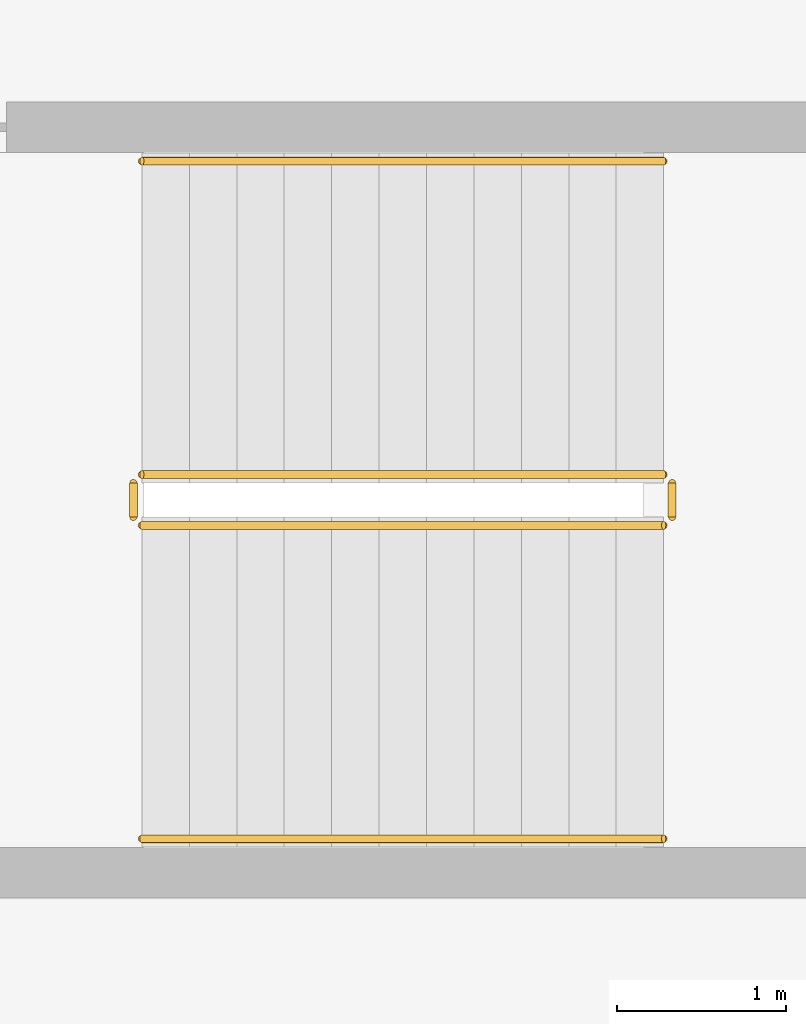
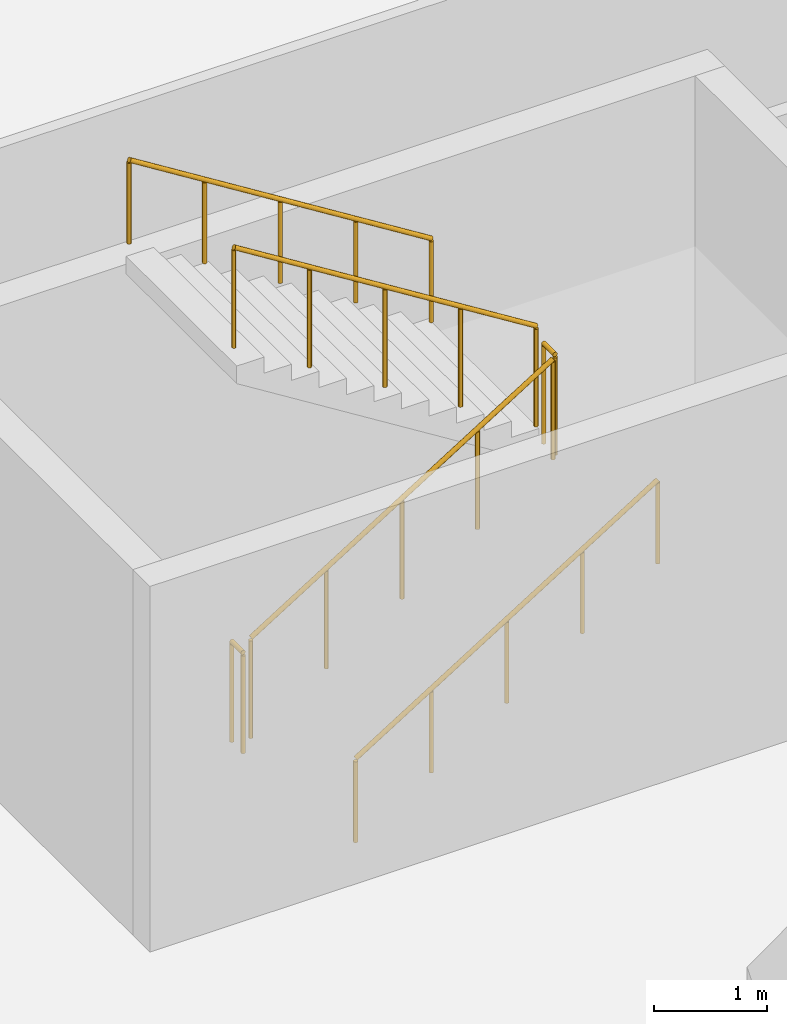
# One storey, part 181 of 182: 6 railings.
"""IFC4 building model written with IfcOpenShell, lengths in metres."""

from ifc_helpers import new_model, si_unit, direction, frame, origin, origin_2d, place, context, subcontext, project, spatial, circle, extrude, material, layer, layer_set, type_object, element, save


model = new_model("IFC4")

# Units and contexts
model_context = context("Model", 3, precision=1e-05, world=origin(), true_north=direction((0.0, 1.0)))
body_context = subcontext(model_context, "Body", "Model", "MODEL_VIEW")
ifc_project = project(units=[si_unit("LENGTHUNIT", "METRE"), si_unit("AREAUNIT", "SQUARE_METRE"), si_unit("VOLUMEUNIT", "CUBIC_METRE"), si_unit("PLANEANGLEUNIT", "RADIAN"), si_unit("MASSUNIT", "GRAM", prefix="KILO")], contexts=[model_context])

# Site, building, storey
site_placement = place(None, origin())
site = spatial("IfcSite", under=ifc_project, at=site_placement, CompositionType="ELEMENT")
building_placement = place(site_placement, origin())
building = spatial("IfcBuilding", under=site, at=building_placement, Name="Chiffa Square Polytechnic", CompositionType="ELEMENT")
storey_placement = place(building_placement, frame((0.0, 0.0, 9.60009765625)))
storey = spatial("IfcBuildingStorey", under=building, at=storey_placement, Name="L02", CompositionType="ELEMENT", Elevation=9.60009765625)

# Railings
ifc_material = material(Name="Steel S355", Category="steel")
ifc_layer_1 = layer(ifc_material, 0.050048828125, Name="Steel S355")
ifc_layer_set_1 = layer_set([ifc_layer_1], Name="Steel S355")
railing_type_1 = type_object("IfcRailingType", Name="RL-STAIR-GUARD", PredefinedType="GUARDRAIL", material=ifc_layer_set_1)
railing_1_placement = place(storey_placement, frame((96.199951171875, 110.60009765625, 0.1748046875)))
element("IfcRailing", 1, at=railing_1_placement, inside=storey, type_object=railing_type_1, Name="L02 ST-V5B stair guard 1", PredefinedType="GUARDRAIL", context=body_context, shape_type="SweptSolid", body=[
    extrude(circle(Radius=0.02392578125, at=origin_2d()), frame((0.0, 0.0, 1.076171875), z_axis=(0.847998304005, 0.0, 0.529998940003), x_axis=(0.0, 1.0, 0.0)), (0.0, 0.0, 1.0), 3.632080078125),
    extrude(circle(Radius=0.02099609375, at=origin_2d()), origin(), (0.0, 0.0, 1.0), 1.052001953125),
    extrude(circle(Radius=0.02099609375, at=origin_2d()), frame((0.77001953125, 0.0, 0.481201171875)), (0.0, 0.0, 1.0), 1.052001953125),
    extrude(circle(Radius=0.02099609375, at=origin_2d()), frame((1.5400390625, 0.0, 0.96240234375)), (0.0, 0.0, 1.0), 1.052001953125),
    extrude(circle(Radius=0.02099609375, at=origin_2d()), frame((2.31005859375, 0.0, 1.44384765625)), (0.0, 0.0, 1.0), 1.052001953125),
    extrude(circle(Radius=0.02099609375, at=origin_2d()), frame((3.080078125, 0.0, 1.925048828125)), (0.0, 0.0, 1.0), 1.052001953125),
])
railing_2_placement = place(storey_placement, frame((99.330078125, 110.64990234375, 2.099853515625)))
element("IfcRailing", 2, at=railing_2_placement, inside=storey, type_object=railing_type_1, Name="L02 ST-V5B stair guard 2", PredefinedType="GUARDRAIL", context=body_context, shape_type="SweptSolid", body=[
    extrude(circle(Radius=0.02392578125, at=origin_2d()), frame((0.0, 0.0, 1.076171875), z_axis=(0.0, 1.0, 0.0), x_axis=(-1.0, 0.0, 0.0)), (0.0, 0.0, 1.0), 0.2001953125),
    extrude(circle(Radius=0.02099609375, at=origin_2d()), origin(), (0.0, 0.0, 1.0), 1.052001953125),
    extrude(circle(Radius=0.02099609375, at=origin_2d()), frame((0.0, 0.2001953125, 0.0)), (0.0, 0.0, 1.0), 1.052001953125),
])
railing_3_placement = place(storey_placement, frame((99.280029296875, 110.89990234375, 2.27490234375)))
element("IfcRailing", 3, at=railing_3_placement, inside=storey, type_object=railing_type_1, Name="L02 ST-V5B stair guard 3", PredefinedType="GUARDRAIL", context=body_context, shape_type="SweptSolid", body=[
    extrude(circle(Radius=0.02392578125, at=origin_2d()), frame((0.0, 0.0, 1.076171875), z_axis=(-0.847998304005, 0.0, 0.529998940003), x_axis=(0.0, -1.0, 0.0)), (0.0, 0.0, 1.0), 3.632080078125),
    extrude(circle(Radius=0.02099609375, at=origin_2d()), origin(), (0.0, 0.0, 1.0), 1.052001953125),
    extrude(circle(Radius=0.02099609375, at=origin_2d()), frame((-0.77001953125, 0.0, 0.481201171875)), (0.0, 0.0, 1.0), 1.052001953125),
    extrude(circle(Radius=0.02099609375, at=origin_2d()), frame((-1.5400390625, 0.0, 0.96240234375)), (0.0, 0.0, 1.0), 1.052001953125),
    extrude(circle(Radius=0.02099609375, at=origin_2d()), frame((-2.31005859375, 0.0, 1.44384765625)), (0.0, 0.0, 1.0), 1.052001953125),
    extrude(circle(Radius=0.02099609375, at=origin_2d()), frame((-3.080078125, 0.0, 1.925048828125)), (0.0, 0.0, 1.0), 1.052001953125),
])
railing_4_placement = place(storey_placement, frame((96.14990234375, 110.64990234375, 0.0)))
element("IfcRailing", 4, at=railing_4_placement, inside=storey, type_object=railing_type_1, Name="L02 ST-V5B stair guard 4", PredefinedType="GUARDRAIL", context=body_context, shape_type="SweptSolid", body=[
    extrude(circle(Radius=0.02392578125, at=origin_2d()), frame((0.0, 0.0, 1.076171875), z_axis=(0.0, 1.0, 0.0), x_axis=(-1.0, 0.0, 0.0)), (0.0, 0.0, 1.0), 0.2001953125),
    extrude(circle(Radius=0.02099609375, at=origin_2d()), origin(), (0.0, 0.0, 1.0), 1.052001953125),
    extrude(circle(Radius=0.02099609375, at=origin_2d()), frame((0.0, 0.2001953125, 0.0)), (0.0, 0.0, 1.0), 1.052001953125),
])
ifc_layer_2 = layer(ifc_material, 0.044921875, Name="Steel S355")
ifc_layer_set_2 = layer_set([ifc_layer_2], Name="Steel S355")
railing_type_2 = type_object("IfcRailingType", Name="RL-STAIR-HAND", PredefinedType="HANDRAIL", material=ifc_layer_set_2)
railing_5_placement = place(storey_placement, frame((96.199951171875, 108.75, 0.1748046875)))
element("IfcRailing", 5, at=railing_5_placement, inside=storey, type_object=railing_type_2, Name="L02 ST-V5B stair handrail 1", PredefinedType="HANDRAIL", context=body_context, shape_type="SweptSolid", body=[
    extrude(circle(Radius=0.02392578125, at=origin_2d()), frame((0.0, 0.0, 0.89599609375), z_axis=(0.847998304005, 0.0, 0.529998940003), x_axis=(0.0, 1.0, 0.0)), (0.0, 0.0, 1.0), 3.632080078125),
    extrude(circle(Radius=0.02099609375, at=origin_2d()), origin(), (0.0, 0.0, 1.0), 0.871826171875),
    extrude(circle(Radius=0.02099609375, at=origin_2d()), frame((0.77001953125, 0.0, 0.481201171875)), (0.0, 0.0, 1.0), 0.871826171875),
    extrude(circle(Radius=0.02099609375, at=origin_2d()), frame((1.5400390625, 0.0, 0.96240234375)), (0.0, 0.0, 1.0), 0.871826171875),
    extrude(circle(Radius=0.02099609375, at=origin_2d()), frame((2.31005859375, 0.0, 1.44384765625)), (0.0, 0.0, 1.0), 0.871826171875),
    extrude(circle(Radius=0.02099609375, at=origin_2d()), frame((3.080078125, 0.0, 1.925048828125)), (0.0, 0.0, 1.0), 0.871826171875),
])
railing_6_placement = place(storey_placement, frame((99.280029296875, 112.75, 2.27490234375)))
element("IfcRailing", 6, at=railing_6_placement, inside=storey, type_object=railing_type_2, Name="L02 ST-V5B stair handrail 2", PredefinedType="HANDRAIL", context=body_context, shape_type="SweptSolid", body=[
    extrude(circle(Radius=0.02392578125, at=origin_2d()), frame((0.0, 0.0, 0.89599609375), z_axis=(-0.847998304005, 0.0, 0.529998940003), x_axis=(0.0, -1.0, 0.0)), (0.0, 0.0, 1.0), 3.632080078125),
    extrude(circle(Radius=0.02099609375, at=origin_2d()), origin(), (0.0, 0.0, 1.0), 0.871826171875),
    extrude(circle(Radius=0.02099609375, at=origin_2d()), frame((-0.77001953125, 0.0, 0.481201171875)), (0.0, 0.0, 1.0), 0.871826171875),
    extrude(circle(Radius=0.02099609375, at=origin_2d()), frame((-1.5400390625, 0.0, 0.96240234375)), (0.0, 0.0, 1.0), 0.871826171875),
    extrude(circle(Radius=0.02099609375, at=origin_2d()), frame((-2.31005859375, 0.0, 1.44384765625)), (0.0, 0.0, 1.0), 0.871826171875),
    extrude(circle(Radius=0.02099609375, at=origin_2d()), frame((-3.080078125, 0.0, 1.925048828125)), (0.0, 0.0, 1.0), 0.871826171875),
])

save(model, "model.ifc")
